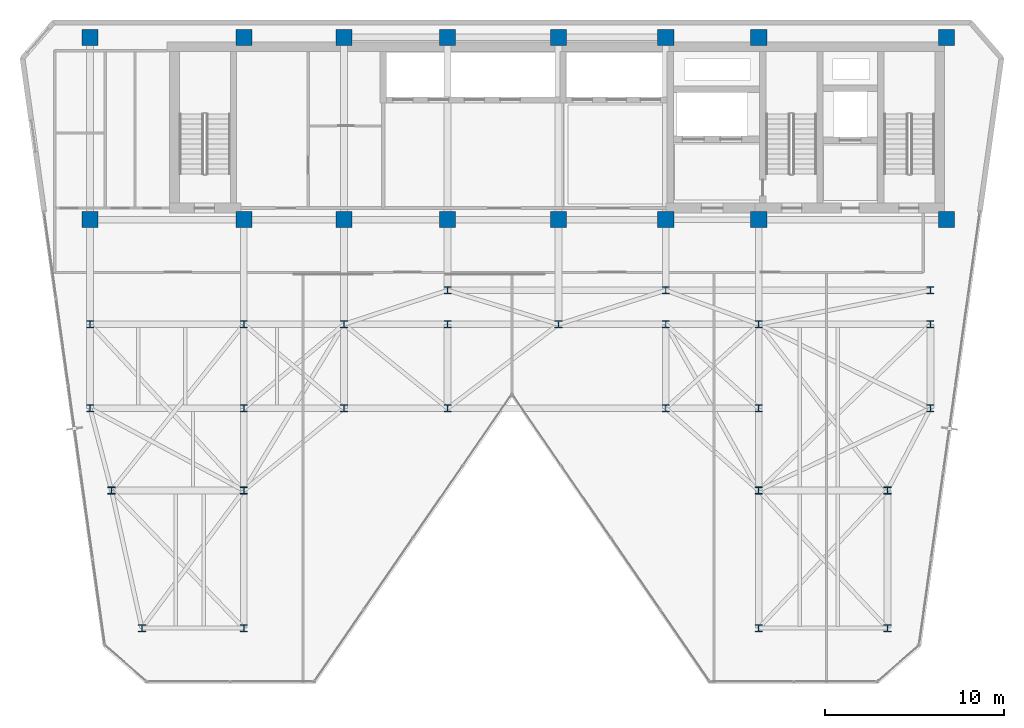
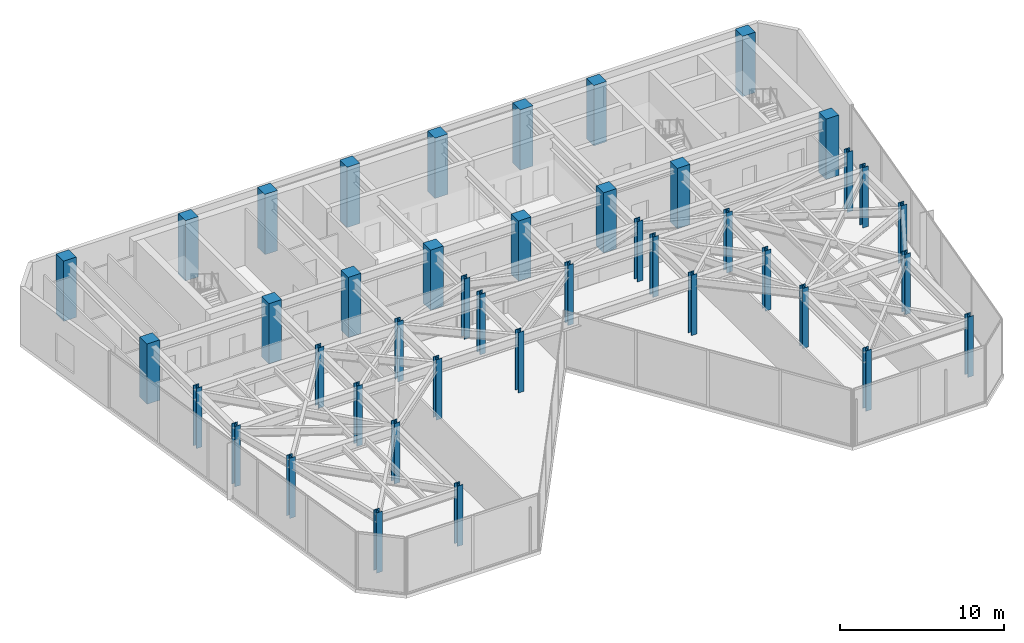
# One storey, part 1 of 25: 42 columns.
"""IFC4 building model written with IfcOpenShell, lengths in metres."""

from ifc_helpers import new_model, si_unit, direction, frame, origin, origin_2d, place, context, subcontext, project, spatial, rectangle, i_section, extrude, material, material_profile, profile_set, type_object, element, save


model = new_model("IFC4")

# Units and contexts
model_context = context("Model", 3, precision=1e-05, world=origin(), true_north=direction((0.0, 1.0)))
body_context = subcontext(model_context, "Body", "Model", "MODEL_VIEW")
ifc_project = project(units=[si_unit("LENGTHUNIT", "METRE"), si_unit("AREAUNIT", "SQUARE_METRE"), si_unit("VOLUMEUNIT", "CUBIC_METRE"), si_unit("PLANEANGLEUNIT", "RADIAN"), si_unit("MASSUNIT", "GRAM", prefix="KILO")], contexts=[model_context])

# Site, building, storey
site_placement = place(None, origin())
site = spatial("IfcSite", under=ifc_project, at=site_placement, CompositionType="ELEMENT")
building_placement = place(site_placement, origin())
building = spatial("IfcBuilding", under=site, at=building_placement, Name="Kravanh Interchange Tower", CompositionType="ELEMENT")
storey_placement = place(building_placement, frame((0.0, 0.0, 220.5)))
storey = spatial("IfcBuildingStorey", under=building, at=storey_placement, Name="L53", CompositionType="ELEMENT", Elevation=220.5)

# Columns
ifc_material_1 = material(Name="Concrete C60/75", Category="concrete")
ifc_material_profile_1 = material_profile(ifc_material_1, rectangle(XDim=0.89990234375, YDim=0.89990234375, at=origin_2d()), Name="RC900X900")
ifc_profile_set_1 = profile_set([ifc_material_profile_1], Name="Concrete C60/75")
column_type_1 = type_object("IfcColumnType", Name="Column RC900X900 Concrete C60/75", PredefinedType="COLUMN", material=ifc_profile_set_1)
for number, where, z_axis, x_axis, name in (
    (1, (66.5, 47.550048828125, 0.0), (0.0, 0.0, 1.0), (1.0, 0.0, 0.0), "L53 Column CS01"),
    (2, (56.0, 47.550048828125, 0.0), (0.0, 0.0, 1.0), (1.0, 0.0, 0.0), "L53 Column CS02"),
    (3, (66.5, 37.35009765625, 0.0), (0.0, 0.0, 1.0), (1.0, 0.0, 0.0), "L53 Column CS03"),
    (4, (56.0, 37.35009765625, 0.0), (0.0, 0.0, 1.0), (1.0, 0.0, 0.0), "L53 Column CS04"),
    (5, (50.800048828125, 47.550048828125, 0.0), (0.0, 0.0, 1.0), (1.0, 0.0, 0.0), "L53 Column CS05"),
    (6, (50.800048828125, 37.35009765625, 0.0), (0.0, 0.0, 1.0), (1.0, 0.0, 0.0), "L53 Column CS06"),
    (7, (44.800048828125, 37.35009765625, 0.0), (0.0, 0.0, 1.0), (1.0, 0.0, 0.0), "L53 Column CS07"),
    (8, (44.800048828125, 47.550048828125, 0.0), (0.0, 0.0, 1.0), (1.0, 0.0, 0.0), "L53 Column CS08"),
    (9, (38.60009765625, 37.35009765625, 0.0), (0.0, 0.0, 1.0), (1.0, 0.0, 0.0), "L53 Column CS09"),
    (10, (38.60009765625, 47.550048828125, 0.0), (0.0, 0.0, 1.0), (1.0, 0.0, 0.0), "L53 Column CS10"),
    (11, (32.800048828125, 37.35009765625, 0.0), (0.0, 0.0, 1.0), (1.0, 0.0, 0.0), "L53 Column CS11"),
    (12, (32.800048828125, 47.550048828125, 0.0), (0.0, 0.0, 1.0), (1.0, 0.0, 0.0), "L53 Column CS12"),
    (13, (27.199951171875, 37.35009765625, 0.0), (0.0, 0.0, 1.0), (1.0, 0.0, 0.0), "L53 Column CS13"),
    (14, (27.199951171875, 47.550048828125, 0.0), (0.0, 0.0, 1.0), (1.0, 0.0, 0.0), "L53 Column CS14"),
    (15, (18.60009765625, 37.35009765625, 0.0), (0.0, 0.0, 1.0), (1.0, 0.0, 0.0), "L53 Column CS17"),
    (16, (18.60009765625, 47.550048828125, 0.0), (0.0, 0.0, 1.0), (1.0, 0.0, 0.0), "L53 Column CS18"),
):
    element("IfcColumn", number, at=place(storey_placement, frame(where, z_axis=z_axis, x_axis=x_axis)), inside=storey, type_object=column_type_1, Name=name, PredefinedType="COLUMN", context=body_context, shape_type="SweptSolid", body=[
        extrude(rectangle(XDim=0.89990234375, YDim=0.89990234375, at=origin_2d()), origin(), (0.0, 0.0, 1.0), 4.5),
    ])
ifc_material_2 = material(Name="Structural Steel S355", Category="steel")
ifc_material_profile_2 = material_profile(ifc_material_2, i_section(OverallWidth=0.40087890625, OverallDepth=0.39892578125, WebThickness=0.02490234375, FlangeThickness=0.03955078125, FilletRadius=0.030029296875, at=origin_2d()), Name="W14X211")
ifc_profile_set_2 = profile_set([ifc_material_profile_2], Name="Structural Steel S355")
column_type_2 = type_object("IfcColumnType", Name="Column W14X211 Structural Steel S355", PredefinedType="COLUMN", material=ifc_profile_set_2)
for number, where, z_axis, x_axis, name in (
    (17, (21.5, 14.5, 0.0), (0.0, 0.0, 1.0), (1.0, 0.0, 0.0), "L53 Column CZ3_1"),
    (18, (18.60009765625, 26.800048828125, 0.0), (0.0, 0.0, 1.0), (1.0, 0.0, 0.0), "L53 Column CZ3_11"),
    (19, (27.199951171875, 26.800048828125, 0.0), (0.0, 0.0, 1.0), (1.0, 0.0, 0.0), "L53 Column CZ3_12"),
    (20, (32.800048828125, 26.800048828125, 0.0), (0.0, 0.0, 1.0), (1.0, 0.0, 0.0), "L53 Column CZ3_13"),
    (21, (38.60009765625, 26.800048828125, 0.0), (0.0, 0.0, 1.0), (1.0, 0.0, 0.0), "L53 Column CZ3_13B"),
    (22, (50.800048828125, 26.800048828125, 0.0), (0.0, 0.0, 1.0), (1.0, 0.0, 0.0), "L53 Column CZ3_14"),
    (23, (56.0, 26.800048828125, 0.0), (0.0, 0.0, 1.0), (1.0, 0.0, 0.0), "L53 Column CZ3_15"),
    (24, (65.60009765625, 26.800048828125, 0.0), (0.0, 0.0, 1.0), (1.0, 0.0, 0.0), "L53 Column CZ3_16"),
    (25, (18.60009765625, 31.5, 0.0), (0.0, 0.0, 1.0), (1.0, 0.0, 0.0), "L53 Column CZ3_17"),
    (26, (27.199951171875, 31.5, 0.0), (0.0, 0.0, 1.0), (1.0, 0.0, 0.0), "L53 Column CZ3_18"),
    (27, (32.800048828125, 31.5, 0.0), (0.0, 0.0, 1.0), (1.0, 0.0, 0.0), "L53 Column CZ3_19"),
    (28, (27.199951171875, 14.5, 0.0), (0.0, 0.0, 1.0), (1.0, 0.0, 0.0), "L53 Column CZ3_2"),
    (29, (38.60009765625, 31.5, 0.0), (0.0, 0.0, 1.0), (1.0, 0.0, 0.0), "L53 Column CZ3_20"),
    (30, (44.800048828125, 31.5, 0.0), (0.0, 0.0, 1.0), (1.0, 0.0, 0.0), "L53 Column CZ3_21"),
    (31, (50.800048828125, 31.5, 0.0), (0.0, 0.0, 1.0), (1.0, 0.0, 0.0), "L53 Column CZ3_22"),
    (32, (56.0, 31.5, 0.0), (0.0, 0.0, 1.0), (1.0, 0.0, 0.0), "L53 Column CZ3_23"),
    (33, (65.60009765625, 31.5, 0.0), (0.0, 0.0, 1.0), (1.0, 0.0, 0.0), "L53 Column CZ3_24"),
    (34, (56.0, 14.5, 0.0), (0.0, 0.0, 1.0), (1.0, 0.0, 0.0), "L53 Column CZ3_3"),
    (35, (63.199951171875, 14.5, 0.0), (0.0, 0.0, 1.0), (1.0, 0.0, 0.0), "L53 Column CZ3_4"),
    (36, (19.800048828125, 22.199951171875, 0.0), (0.0, 0.0, 1.0), (1.0, 0.0, 0.0), "L53 Column CZ3_5"),
    (37, (27.199951171875, 22.199951171875, 0.0), (0.0, 0.0, 1.0), (1.0, 0.0, 0.0), "L53 Column CZ3_6"),
    (38, (56.0, 22.199951171875, 0.0), (0.0, 0.0, 1.0), (1.0, 0.0, 0.0), "L53 Column CZ3_8"),
    (39, (63.199951171875, 22.199951171875, 0.0), (0.0, 0.0, 1.0), (1.0, 0.0, 0.0), "L53 Column CZ3_9"),
    (40, (38.60009765625, 33.39990234375, 0.0), (0.0, 0.0, 1.0), (1.0, 0.0, 0.0), "L53 Column CZ3_M1"),
    (41, (50.800048828125, 33.39990234375, 0.0), (0.0, 0.0, 1.0), (1.0, 0.0, 0.0), "L53 Column CZ3_M2"),
    (42, (65.60009765625, 33.39990234375, 0.0), (0.0, 0.0, 1.0), (1.0, 0.0, 0.0), "L53 Column CZ3_M3"),
):
    element("IfcColumn", number, at=place(storey_placement, frame(where, z_axis=z_axis, x_axis=x_axis)), inside=storey, type_object=column_type_2, Name=name, PredefinedType="COLUMN", context=body_context, shape_type="SweptSolid", body=[
        extrude(i_section(OverallWidth=0.40087890625, OverallDepth=0.39892578125, WebThickness=0.02490234375, FlangeThickness=0.03955078125, FilletRadius=0.030029296875, at=origin_2d()), origin(), (0.0, 0.0, 1.0), 4.5),
    ])

save(model, "model.ifc")
